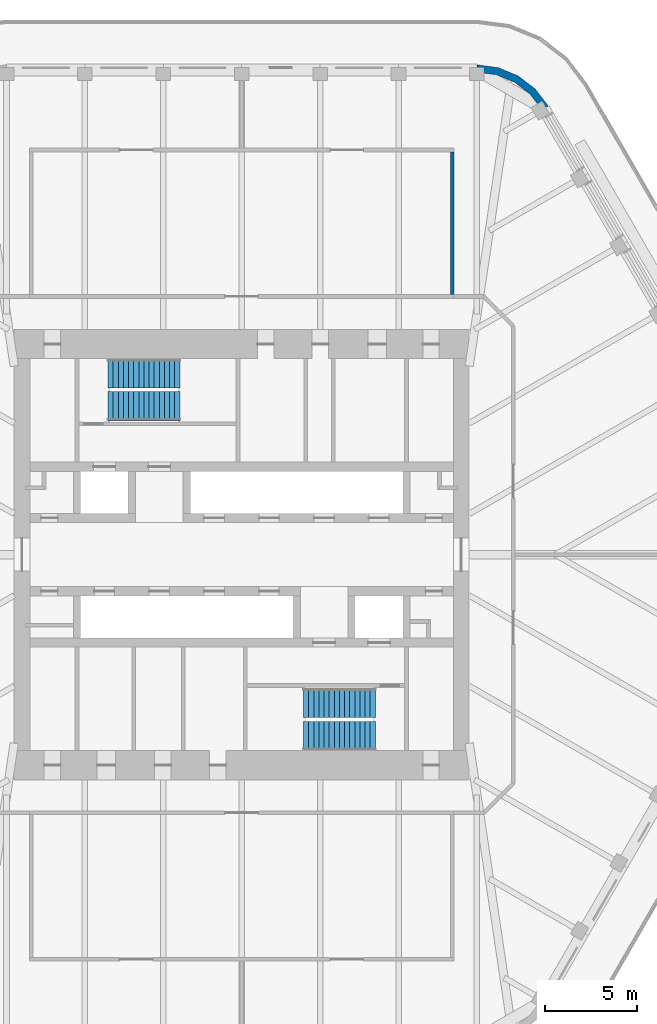
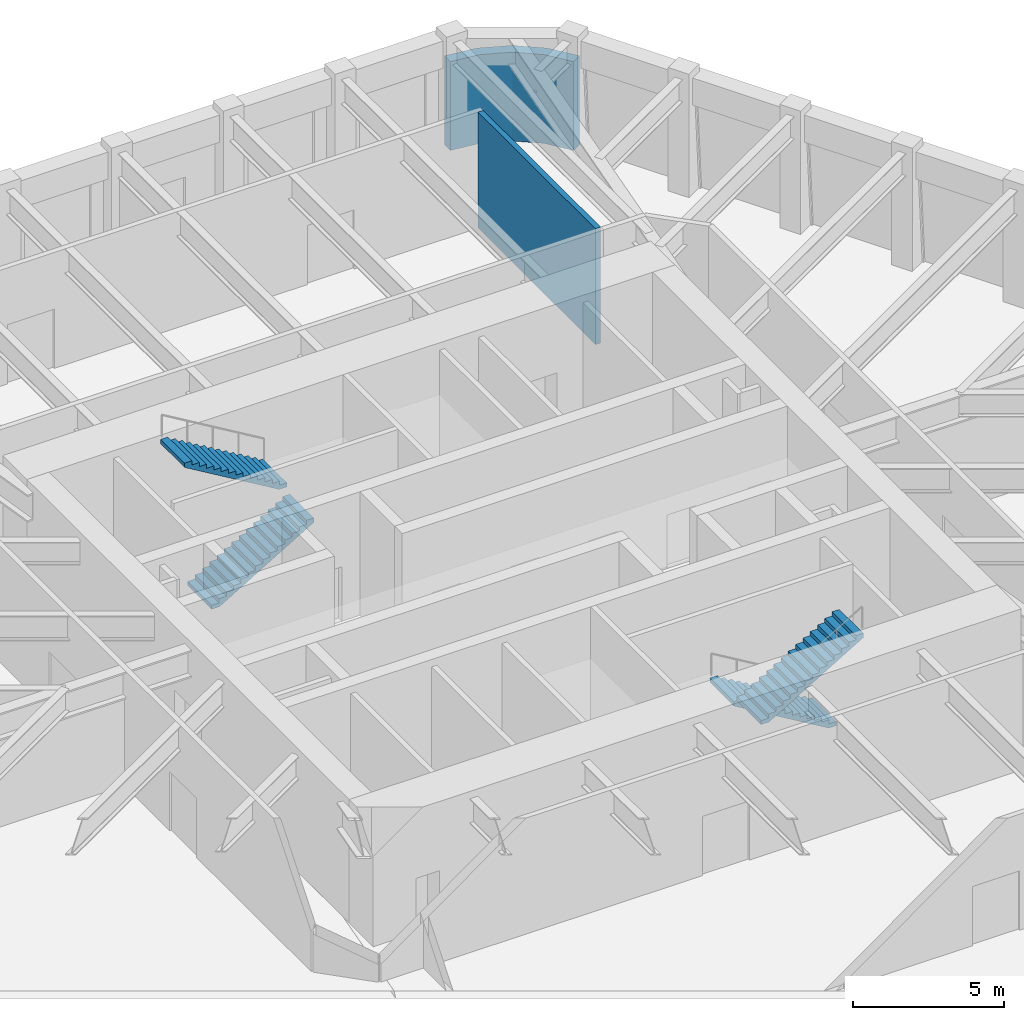
# One storey, part 10 of 13: 4 stair flights, 2 walls, 2 elements without a shape of their own.
"""IFC4 building model written with IfcOpenShell, lengths in metres."""

from ifc_helpers import new_model, si_unit, direction, frame, frame_2d, origin, place, context, subcontext, project, spatial, polyline, rectangle, outline, extrude, material, layer, layer_set, type_object, element, aggregate, save


model = new_model("IFC4")

# Units and contexts
model_context = context("Model", 3, precision=1e-05, world=origin(), true_north=direction((0.0, 1.0)))
body_context = subcontext(model_context, "Body", "Model", "MODEL_VIEW")
ifc_project = project(units=[si_unit("LENGTHUNIT", "METRE"), si_unit("AREAUNIT", "SQUARE_METRE"), si_unit("VOLUMEUNIT", "CUBIC_METRE"), si_unit("PLANEANGLEUNIT", "RADIAN"), si_unit("MASSUNIT", "GRAM", prefix="KILO")], contexts=[model_context])

# Site, building, storey
site_placement = place(None, origin())
site = spatial("IfcSite", under=ifc_project, at=site_placement, CompositionType="ELEMENT")
building_placement = place(site_placement, origin())
building = spatial("IfcBuilding", under=site, at=building_placement, Name="Tarfa Lantern Tower", CompositionType="ELEMENT")
storey_placement = place(building_placement, frame((0.0, 0.0, 391.300048828125)))
storey = spatial("IfcBuildingStorey", under=building, at=storey_placement, Name="L89", CompositionType="ELEMENT", Elevation=391.300048828125)

# Walls
ifc_material_1 = material(Name="Limestone cladding on blockwork", Category="masonry")
ifc_layer_1 = layer(ifc_material_1, 0.39990234375)
ifc_layer_set_1 = layer_set([ifc_layer_1], Name="EW2 CURVED STONE CORNER 400")
wall_type_1 = type_object("IfcWallType", Name="EW2 CURVED STONE CORNER 400", PredefinedType="SOLIDWALL", material=ifc_layer_set_1)
wall_1_placement = place(storey_placement, origin())
element("IfcWall", 1, at=wall_1_placement, inside=storey, type_object=wall_type_1, Name="Stone corner NE-N", PredefinedType="SOLIDWALL", context=body_context, shape_type="SweptSolid", body=[
    extrude(outline(polyline([(16.7431640625, 24.5), (16.028076171875, 25.431884765625), (15.095947265625, 26.147216796875), (14.0107421875, 26.5966796875), (12.845947265625, 26.75), (12.845947265625, 26.35009765625), (13.9072265625, 26.210205078125), (14.89599609375, 25.80078125), (15.7451171875, 25.149169921875), (16.396728515625, 24.300048828125), (16.7431640625, 24.5)])), origin(), (0.0, 0.0, 1.0), 3.599853515625),
])
ifc_material_2 = material(Name="Gypsum board on steel studs", Category="steel")
ifc_layer_2 = layer(ifc_material_2, 0.2099609375)
ifc_layer_set_2 = layer_set([ifc_layer_2], Name="IW2 ACOUSTIC PARTITION 200")
wall_type_2 = type_object("IfcWallType", Name="IW2 ACOUSTIC PARTITION 200", PredefinedType="PARTITIONING", material=ifc_layer_set_2)
wall_2_placement = place(storey_placement, frame((11.5, 14.199951171875, 0.0), z_axis=(0.0, 0.0, 1.0), x_axis=(0.0, 1.0, 0.0)))
element("IfcWall", 2, at=wall_2_placement, inside=storey, type_object=wall_type_2, Name="Partition", PredefinedType="PARTITIONING", context=body_context, shape_type="SweptSolid", body=[
    extrude(rectangle(XDim=7.800048828125, YDim=0.199951171875, at=frame_2d((3.89990234375, 0.0))), origin(), (0.0, 0.0, 1.0), 4.699951171875),
])

# Stair, stair flights
ifc_material_3 = material(Name="Concrete C40/50", Category="concrete")
stair_type = type_object("IfcStairType", Name="ST-T9 HALF-TURN STAIR 5000 RISE", PredefinedType="HALF_TURN_STAIR", material=ifc_material_3)
stair_1_placement = place(storey_placement, origin())
stair_1 = element("IfcStair", 3, at=stair_1_placement, inside=storey, type_object=stair_type, Name="Stair ST1", PredefinedType="HALF_TURN_STAIR")
stair_flight_type = type_object("IfcStairFlightType", Name="SF1 STAIR FLIGHT", PredefinedType="STRAIGHT", material=ifc_material_3)
stair_flight_1_placement = place(storey_placement, frame((-7.300048828125, 8.10009765625, 0.0), z_axis=(0.0, 0.0, 1.0), x_axis=(1.0, 0.0, 0.0)))
stair_flight_1 = element("IfcStairFlight", 4, at=stair_flight_1_placement, type_object=stair_flight_type, Name="ST1 flight 1", NumberOfRisers=15, NumberOfTreads=14, PredefinedType="STRAIGHT", RiserHeight=0.166666667, TreadLength=0.28, context=body_context, shape_type="SweptSolid", body=[
    extrude(outline(polyline([(0.0, 0.0), (0.0, 0.166748046875), (0.280029296875, 0.166748046875), (0.280029296875, 0.333251953125), (0.56005859375, 0.333251953125), (0.56005859375, 0.5), (0.840087890625, 0.5), (0.840087890625, 0.666748046875), (1.1201171875, 0.666748046875), (1.1201171875, 0.833251953125), (1.39990234375, 0.833251953125), (1.39990234375, 1.0), (1.679931640625, 1.0), (1.679931640625, 1.166748046875), (1.9599609375, 1.166748046875), (1.9599609375, 1.333251953125), (2.239990234375, 1.333251953125), (2.239990234375, 1.5), (2.52001953125, 1.5), (2.52001953125, 1.666748046875), (2.800048828125, 1.666748046875), (2.800048828125, 1.833251953125), (3.080078125, 1.833251953125), (3.080078125, 2.0), (3.360107421875, 2.0), (3.360107421875, 2.166748046875), (3.639892578125, 2.166748046875), (3.639892578125, 2.333251953125), (3.919921875, 2.333251953125), (3.919921875, 2.5), (3.919921875, 2.158935546875), (0.29296875, 0.0), (0.0, 0.0)])), frame((0.0, 0.800048828125, 0.0), z_axis=(0.0, -1.0, 0.0), x_axis=(1.0, 0.0, 0.0)), (0.0, 0.0, 1.0), 1.60009765625),
])
stair_flight_2_placement = place(storey_placement, frame((-3.3798828125, 9.89990234375, 2.5), z_axis=(0.0, 0.0, 1.0), x_axis=(-1.0, 0.0, 0.0)))
stair_flight_2 = element("IfcStairFlight", 5, at=stair_flight_2_placement, type_object=stair_flight_type, Name="ST1 flight 2", NumberOfRisers=15, NumberOfTreads=14, PredefinedType="STRAIGHT", RiserHeight=0.166666667, TreadLength=0.28, context=body_context, shape_type="SweptSolid", body=[
    extrude(outline(polyline([(0.0, 0.0), (0.0, 0.166748046875), (0.280029296875, 0.166748046875), (0.280029296875, 0.333251953125), (0.56005859375, 0.333251953125), (0.56005859375, 0.5), (0.840087890625, 0.5), (0.840087890625, 0.666748046875), (1.1201171875, 0.666748046875), (1.1201171875, 0.833251953125), (1.39990234375, 0.833251953125), (1.39990234375, 1.0), (1.679931640625, 1.0), (1.679931640625, 1.166748046875), (1.9599609375, 1.166748046875), (1.9599609375, 1.333251953125), (2.239990234375, 1.333251953125), (2.239990234375, 1.5), (2.52001953125, 1.5), (2.52001953125, 1.666748046875), (2.800048828125, 1.666748046875), (2.800048828125, 1.833251953125), (3.080078125, 1.833251953125), (3.080078125, 2.0), (3.360107421875, 2.0), (3.360107421875, 2.166748046875), (3.639892578125, 2.166748046875), (3.639892578125, 2.333251953125), (3.919921875, 2.333251953125), (3.919921875, 2.5), (3.919921875, 2.158935546875), (0.29296875, 0.0), (0.0, 0.0)])), frame((0.0, 0.800048828125, 0.0), z_axis=(0.0, -1.0, 0.0), x_axis=(1.0, 0.0, 0.0)), (0.0, 0.0, 1.0), 1.60009765625),
])
aggregate(stair_1, [stair_flight_1, stair_flight_2])

stair_2_placement = place(storey_placement, origin())
stair_2 = element("IfcStair", 6, at=stair_2_placement, inside=storey, type_object=stair_type, Name="Stair ST2", PredefinedType="HALF_TURN_STAIR")
stair_flight_3_placement = place(storey_placement, frame((7.300048828125, -8.10009765625, 0.0), z_axis=(0.0, 0.0, 1.0), x_axis=(-1.0, 0.0, 0.0)))
stair_flight_3 = element("IfcStairFlight", 7, at=stair_flight_3_placement, type_object=stair_flight_type, Name="ST2 flight 1", NumberOfRisers=15, NumberOfTreads=14, PredefinedType="STRAIGHT", RiserHeight=0.166666667, TreadLength=0.28, context=body_context, shape_type="SweptSolid", body=[
    extrude(outline(polyline([(0.0, 0.0), (0.0, 0.166748046875), (0.280029296875, 0.166748046875), (0.280029296875, 0.333251953125), (0.56005859375, 0.333251953125), (0.56005859375, 0.5), (0.840087890625, 0.5), (0.840087890625, 0.666748046875), (1.1201171875, 0.666748046875), (1.1201171875, 0.833251953125), (1.39990234375, 0.833251953125), (1.39990234375, 1.0), (1.679931640625, 1.0), (1.679931640625, 1.166748046875), (1.9599609375, 1.166748046875), (1.9599609375, 1.333251953125), (2.239990234375, 1.333251953125), (2.239990234375, 1.5), (2.52001953125, 1.5), (2.52001953125, 1.666748046875), (2.800048828125, 1.666748046875), (2.800048828125, 1.833251953125), (3.080078125, 1.833251953125), (3.080078125, 2.0), (3.360107421875, 2.0), (3.360107421875, 2.166748046875), (3.639892578125, 2.166748046875), (3.639892578125, 2.333251953125), (3.919921875, 2.333251953125), (3.919921875, 2.5), (3.919921875, 2.158935546875), (0.29296875, 0.0), (0.0, 0.0)])), frame((0.0, 0.800048828125, 0.0), z_axis=(0.0, -1.0, 0.0), x_axis=(1.0, 0.0, 0.0)), (0.0, 0.0, 1.0), 1.60009765625),
])
stair_flight_4_placement = place(storey_placement, frame((3.3798828125, -9.89990234375, 2.5), z_axis=(0.0, 0.0, 1.0), x_axis=(1.0, 0.0, 0.0)))
stair_flight_4 = element("IfcStairFlight", 8, at=stair_flight_4_placement, type_object=stair_flight_type, Name="ST2 flight 2", NumberOfRisers=15, NumberOfTreads=14, PredefinedType="STRAIGHT", RiserHeight=0.166666667, TreadLength=0.28, context=body_context, shape_type="SweptSolid", body=[
    extrude(outline(polyline([(0.0, 0.0), (0.0, 0.166748046875), (0.280029296875, 0.166748046875), (0.280029296875, 0.333251953125), (0.56005859375, 0.333251953125), (0.56005859375, 0.5), (0.840087890625, 0.5), (0.840087890625, 0.666748046875), (1.1201171875, 0.666748046875), (1.1201171875, 0.833251953125), (1.39990234375, 0.833251953125), (1.39990234375, 1.0), (1.679931640625, 1.0), (1.679931640625, 1.166748046875), (1.9599609375, 1.166748046875), (1.9599609375, 1.333251953125), (2.239990234375, 1.333251953125), (2.239990234375, 1.5), (2.52001953125, 1.5), (2.52001953125, 1.666748046875), (2.800048828125, 1.666748046875), (2.800048828125, 1.833251953125), (3.080078125, 1.833251953125), (3.080078125, 2.0), (3.360107421875, 2.0), (3.360107421875, 2.166748046875), (3.639892578125, 2.166748046875), (3.639892578125, 2.333251953125), (3.919921875, 2.333251953125), (3.919921875, 2.5), (3.919921875, 2.158935546875), (0.29296875, 0.0), (0.0, 0.0)])), frame((0.0, 0.800048828125, 0.0), z_axis=(0.0, -1.0, 0.0), x_axis=(1.0, 0.0, 0.0)), (0.0, 0.0, 1.0), 1.60009765625),
])
aggregate(stair_2, [stair_flight_3, stair_flight_4])

save(model, "model.ifc")
